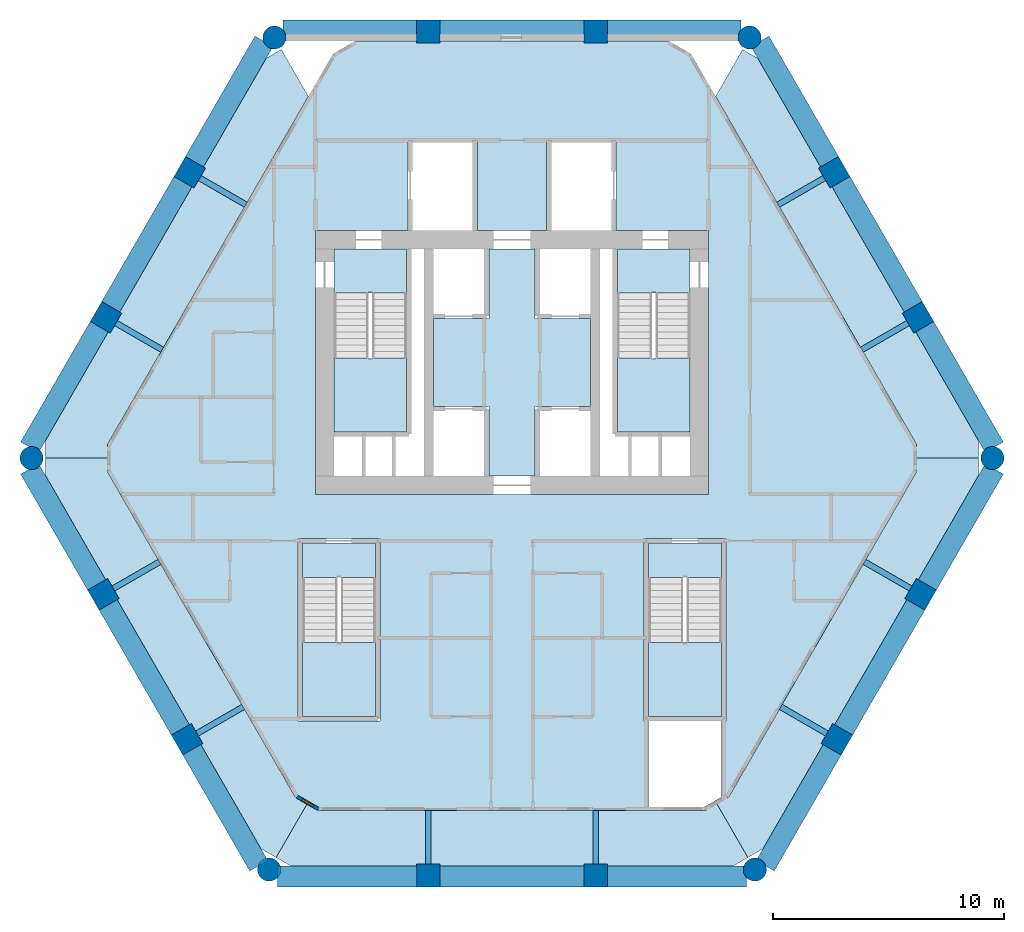
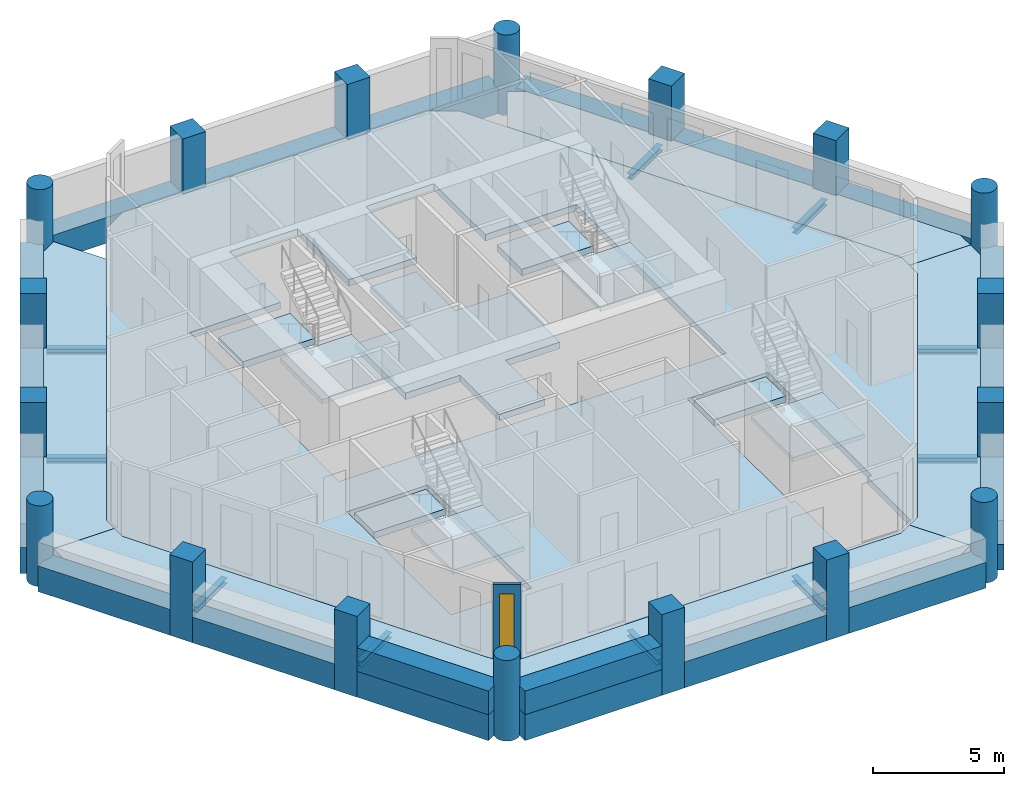
# One storey, part 1 of 7: 28 beams, 18 columns, 15 slabs, 3 walls, 1 window, 1 opening, 4 elements without a shape of their own.
"""IFC4 building model written with IfcOpenShell, lengths in metres."""

from ifc_helpers import new_model, si_unit, direction, frame, frame_2d, origin, origin_2d, place, context, subcontext, project, spatial, polyline, rectangle, circle, i_section, outline, extrude, material, layer, layer_set, material_profile, profile_set, type_object, element, fill, aggregate, save


model = new_model("IFC4")

# Units and contexts
model_context = context("Model", 3, precision=1e-05, world=origin(), true_north=direction((0.0, 1.0)))
body_context = subcontext(model_context, "Body", "Model", "MODEL_VIEW")
ifc_project = project(units=[si_unit("LENGTHUNIT", "METRE"), si_unit("AREAUNIT", "SQUARE_METRE"), si_unit("VOLUMEUNIT", "CUBIC_METRE"), si_unit("PLANEANGLEUNIT", "RADIAN"), si_unit("MASSUNIT", "GRAM", prefix="KILO")], contexts=[model_context])

# Site, building, storey
site_placement = place(None, origin())
site = spatial("IfcSite", under=ifc_project, at=site_placement, CompositionType="ELEMENT")
building_placement = place(site_placement, origin())
building = spatial("IfcBuilding", under=site, at=building_placement, Name="Ostrander Bayou Hotel Tower", CompositionType="ELEMENT")
storey_placement = place(building_placement, frame((0.0, 0.0, 160.75)))
storey = spatial("IfcBuildingStorey", under=building, at=storey_placement, Name="L39", CompositionType="ELEMENT", Elevation=160.75)

# Columns
ifc_material_1 = material(Name="Concrete f'c 60 MPa", Category="concrete")
ifc_material_profile_1 = material_profile(ifc_material_1, circle(Radius=0.5, at=origin_2d()))
ifc_profile_set_1 = profile_set([ifc_material_profile_1], Name="Concrete f'c 60 MPa")
column_type_1 = type_object("IfcColumnType", Name="C5 round column 1000 mm f'c 60 MPa", PredefinedType="COLUMN", material=ifc_profile_set_1)
for number, where, z_axis, x_axis, name in (
    (1, (-10.267333984375, 18.04541015625, -1.199951171875), (0.0, 0.0, 1.0), (1.0, 0.0, 0.0), "C5 L39 K0"),
    (2, (-20.761474609375, -0.130859375, -1.199951171875), (0.0, 0.0, 1.0), (1.0, 0.0, 0.0), "C5 L39 K1"),
    (3, (-10.494140625, -17.91455078125, -1.199951171875), (0.0, 0.0, 1.0), (1.0, 0.0, 0.0), "C5 L39 K2"),
    (4, (10.494140625, -17.91455078125, -1.199951171875), (0.0, 0.0, 1.0), (1.0, 0.0, 0.0), "C5 L39 K3"),
    (5, (20.761474609375, -0.130859375, -1.199951171875), (0.0, 0.0, 1.0), (1.0, 0.0, 0.0), "C5 L39 K4"),
    (6, (10.267333984375, 18.04541015625, -1.199951171875), (0.0, 0.0, 1.0), (1.0, 0.0, 0.0), "C5 L39 K5"),
):
    element("IfcColumn", number, at=place(storey_placement, frame(where, z_axis=z_axis, x_axis=x_axis)), inside=storey, type_object=column_type_1, Name=name, PredefinedType="COLUMN", context=body_context, shape_type="SweptSolid", body=[
        extrude(circle(Radius=0.5, at=origin_2d()), origin(), (0.0, 0.0, 1.0), 3.75),
    ])
ifc_material_2 = material(Name="Concrete f'c 60 MPa", Category="concrete")
ifc_material_profile_2 = material_profile(ifc_material_2, rectangle(XDim=1.0, YDim=1.0, at=origin_2d()))
ifc_profile_set_2 = profile_set([ifc_material_profile_2], Name="Concrete f'c 60 MPa")
column_type_2 = type_object("IfcColumnType", Name="C6 square column 1000 x 1000 mm f'c 60 MPa", PredefinedType="COLUMN", material=ifc_profile_set_2)
for number, where, z_axis, x_axis, name in (
    (7, (3.6181640625, 18.300048828125, -1.199951171875), (0.0, 0.0, 1.0), (1.0, 0.0, 0.0), "C6 L39 N1"),
    (8, (-3.6181640625, 18.300048828125, -1.199951171875), (0.0, 0.0, 1.0), (1.0, 0.0, 0.0), "C6 L39 N2"),
    (9, (-13.92578125, 12.218017578125, -1.199951171875), (0.0, 0.0, 1.0), (0.5, 0.866025403784, 0.0), "C6 L39 NW1"),
    (10, (-17.5439453125, 5.951171875, -1.199951171875), (0.0, 0.0, 1.0), (0.5, 0.866025403784, 0.0), "C6 L39 NW2"),
    (11, (-17.6572265625, -6.0166015625, -1.199951171875), (0.0, 0.0, 1.0), (-0.5, 0.866025403784, 0.0), "C6 L39 SW1"),
    (12, (-14.039306640625, -12.283203125, -1.199951171875), (0.0, 0.0, 1.0), (-0.5, 0.866025403784, 0.0), "C6 L39 SW2"),
    (13, (-3.6181640625, -18.169189453125, -1.199951171875), (0.0, 0.0, 1.0), (-1.0, 0.0, 0.0), "C6 L39 S1"),
    (14, (3.6181640625, -18.169189453125, -1.199951171875), (0.0, 0.0, 1.0), (-1.0, 0.0, 0.0), "C6 L39 S2"),
    (15, (14.039306640625, -12.283203125, -1.199951171875), (0.0, 0.0, 1.0), (-0.5, -0.866025403784, 0.0), "C6 L39 SE1"),
    (16, (17.6572265625, -6.0166015625, -1.199951171875), (0.0, 0.0, 1.0), (-0.5, -0.866025403784, 0.0), "C6 L39 SE2"),
    (17, (17.5439453125, 5.951171875, -1.199951171875), (0.0, 0.0, 1.0), (0.5, -0.866025403784, 0.0), "C6 L39 NE1"),
    (18, (13.92578125, 12.218017578125, -1.199951171875), (0.0, 0.0, 1.0), (0.5, -0.866025403784, 0.0), "C6 L39 NE2"),
):
    element("IfcColumn", number, at=place(storey_placement, frame(where, z_axis=z_axis, x_axis=x_axis)), inside=storey, type_object=column_type_2, Name=name, PredefinedType="COLUMN", context=body_context, shape_type="SweptSolid", body=[
        extrude(rectangle(XDim=1.0, YDim=1.0, at=origin_2d()), origin(), (0.0, 0.0, 1.0), 3.75),
    ])

# Beams
ifc_material_3 = material(Name="Steel ASTM A992", Category="steel")
ifc_material_profile_3 = material_profile(ifc_material_3, i_section(OverallWidth=0.25390625, OverallDepth=0.25341796875, WebThickness=0.008544921875, FlangeThickness=0.01416015625, at=origin_2d()))
ifc_profile_set_3 = profile_set([ifc_material_profile_3], Name="Steel ASTM A992")
beam_type_1 = type_object("IfcBeamType", Name="LB2 loggia bracket W10x49", PredefinedType="BEAM", material=ifc_profile_set_3)
for number, where, z_axis, x_axis, name in (
    (19, (-13.492919921875, 11.968017578125, -0.4267578125), (0.866007057882, -0.500031774688, 0.0), (0.500031774688, 0.866007057882, 0.0), "LB2 L39 NW1"),
    (20, (-17.11083984375, 5.701171875, -0.4267578125), (0.866053019151, -0.499952165731, 0.0), (0.499952165731, 0.866053019151, 0.0), "LB2 L39 NW2"),
    (21, (-17.224365234375, -5.7666015625, -0.4267578125), (0.866053019151, 0.499952165731, 0.0), (-0.499952165731, 0.866053019151, 0.0), "LB2 L39 SW1"),
):
    element("IfcBeam", number, at=place(storey_placement, frame(where, z_axis=z_axis, x_axis=x_axis)), inside=storey, type_object=beam_type_1, Name=name, PredefinedType="BEAM", context=body_context, shape_type="SweptSolid", body=[
        extrude(i_section(OverallWidth=0.25390625, OverallDepth=0.25341796875, WebThickness=0.008544921875, FlangeThickness=0.01416015625, at=origin_2d()), origin(), (0.0, 0.0, 1.0), 2.300048828125),
    ])
beam_1_placement = place(storey_placement, frame((-13.606201171875, -12.033203125, -0.4267578125), z_axis=(0.86602648383, 0.499998129301, 0.0), x_axis=(-0.499998129301, 0.86602648383, 0.0)))
element("IfcBeam", 22, at=beam_1_placement, inside=storey, type_object=beam_type_1, Name="LB2 L39 SW2", PredefinedType="BEAM", context=body_context, shape_type="SweptSolid", body=[
    extrude(i_section(OverallWidth=0.25390625, OverallDepth=0.25341796875, WebThickness=0.008544921875, FlangeThickness=0.01416015625, at=origin_2d()), origin(), (0.0, 0.0, 1.0), 2.2998046875),
])
for number, where, z_axis, x_axis, name in (
    (23, (-3.6181640625, -17.669189453125, -0.4267578125), (0.0, 1.0, 0.0), (-1.0, 0.0, 0.0), "LB2 L39 S1"),
    (24, (3.6181640625, -17.669189453125, -0.4267578125), (0.0, 1.0, 0.0), (-1.0, 0.0, 0.0), "LB2 L39 S2"),
):
    element("IfcBeam", number, at=place(storey_placement, frame(where, z_axis=z_axis, x_axis=x_axis)), inside=storey, type_object=beam_type_1, Name=name, PredefinedType="BEAM", context=body_context, shape_type="SweptSolid", body=[
        extrude(i_section(OverallWidth=0.25390625, OverallDepth=0.25341796875, WebThickness=0.008544921875, FlangeThickness=0.01416015625, at=origin_2d()), origin(), (0.0, 0.0, 1.0), 2.300048828125),
    ])
beam_2_placement = place(storey_placement, frame((13.606201171875, -12.033203125, -0.4267578125), z_axis=(-0.86602648383, 0.499998129301, 0.0), x_axis=(-0.499998129301, -0.86602648383, 0.0)))
element("IfcBeam", 25, at=beam_2_placement, inside=storey, type_object=beam_type_1, Name="LB2 L39 SE1", PredefinedType="BEAM", context=body_context, shape_type="SweptSolid", body=[
    extrude(i_section(OverallWidth=0.25390625, OverallDepth=0.25341796875, WebThickness=0.008544921875, FlangeThickness=0.01416015625, at=origin_2d()), origin(), (0.0, 0.0, 1.0), 2.2998046875),
])
for number, where, z_axis, x_axis, name in (
    (26, (17.224365234375, -5.7666015625, -0.4267578125), (-0.866053019151, 0.499952165731, 0.0), (-0.499952165731, -0.866053019151, 0.0), "LB2 L39 SE2"),
    (27, (17.11083984375, 5.701171875, -0.4267578125), (-0.866053019151, -0.499952165731, 0.0), (0.499952165731, -0.866053019151, 0.0), "LB2 L39 NE1"),
    (28, (13.492919921875, 11.968017578125, -0.4267578125), (-0.866007057882, -0.500031774688, 0.0), (0.500031774688, -0.866007057882, 0.0), "LB2 L39 NE2"),
):
    element("IfcBeam", number, at=place(storey_placement, frame(where, z_axis=z_axis, x_axis=x_axis)), inside=storey, type_object=beam_type_1, Name=name, PredefinedType="BEAM", context=body_context, shape_type="SweptSolid", body=[
        extrude(i_section(OverallWidth=0.25390625, OverallDepth=0.25341796875, WebThickness=0.008544921875, FlangeThickness=0.01416015625, at=origin_2d()), origin(), (0.0, 0.0, 1.0), 2.300048828125),
    ])
ifc_material_4 = material(Name="Concrete f'c 60 MPa", Category="concrete")
ifc_material_profile_4 = material_profile(ifc_material_4, rectangle(XDim=0.89990234375, YDim=1.199951171875, at=origin_2d()))
ifc_profile_set_4 = profile_set([ifc_material_profile_4], Name="Concrete f'c 60 MPa")
beam_type_2 = type_object("IfcBeamType", Name="SP3 spandrel beam 900 x 1200 mm f'c 60 MPa", PredefinedType="SPANDREL", material=ifc_profile_set_4)
beam_3_placement = place(storey_placement, frame((9.90087890625, 18.35009765625, -0.60009765625), z_axis=(-1.0, 0.0, 0.0), x_axis=(0.0, -1.0, 0.0)))
element("IfcBeam", 29, at=beam_3_placement, inside=storey, type_object=beam_type_2, Name="SP3 L39 N-1", PredefinedType="SPANDREL", context=body_context, shape_type="SweptSolid", body=[
    extrude(rectangle(XDim=0.89990234375, YDim=1.199951171875, at=origin_2d()), origin(), (0.0, 0.0, 1.0), 5.812744140625),
])
beam_4_placement = place(storey_placement, frame((3.148193359375, 18.35009765625, -0.60009765625), z_axis=(-1.0, 0.0, 0.0), x_axis=(0.0, -1.0, 0.0)))
element("IfcBeam", 30, at=beam_4_placement, inside=storey, type_object=beam_type_2, Name="SP3 L39 N-2", PredefinedType="SPANDREL", context=body_context, shape_type="SweptSolid", body=[
    extrude(rectangle(XDim=0.89990234375, YDim=1.199951171875, at=origin_2d()), origin(), (0.0, 0.0, 1.0), 6.29638671875),
])
beam_5_placement = place(storey_placement, frame((-4.088134765625, 18.35009765625, -0.60009765625), z_axis=(-1.0, 0.0, 0.0), x_axis=(0.0, -1.0, 0.0)))
element("IfcBeam", 31, at=beam_5_placement, inside=storey, type_object=beam_type_2, Name="SP3 L39 N-3", PredefinedType="SPANDREL", context=body_context, shape_type="SweptSolid", body=[
    extrude(rectangle(XDim=0.89990234375, YDim=1.199951171875, at=origin_2d()), origin(), (0.0, 0.0, 1.0), 5.812744140625),
])
beam_6_placement = place(storey_placement, frame((-10.71435546875, 17.88037109375, -0.60009765625), z_axis=(-0.499995386674, -0.866028067273, 0.0), x_axis=(0.866028067273, -0.499995386674, 0.0)))
element("IfcBeam", 32, at=beam_6_placement, inside=storey, type_object=beam_type_2, Name="SP3 L39 NW-1", PredefinedType="SPANDREL", context=body_context, shape_type="SweptSolid", body=[
    extrude(rectangle(XDim=0.89990234375, YDim=1.199951171875, at=origin_2d()), origin(), (0.0, 0.0, 1.0), 6.03955078125),
])
beam_7_placement = place(storey_placement, frame((-14.2041015625, 11.835693359375, -0.60009765625), z_axis=(-0.500030142214, -0.86600800047, 0.0), x_axis=(0.86600800047, -0.500030142214, 0.0)))
element("IfcBeam", 33, at=beam_7_placement, inside=storey, type_object=beam_type_2, Name="SP3 L39 NW-2", PredefinedType="SPANDREL", context=body_context, shape_type="SweptSolid", body=[
    extrude(rectangle(XDim=0.89990234375, YDim=1.199951171875, at=origin_2d()), origin(), (0.0, 0.0, 1.0), 6.2958984375),
])
beam_8_placement = place(storey_placement, frame((-17.822265625, 5.569091796875, -0.60009765625), z_axis=(-0.500012890865, -0.866017961112, 0.0), x_axis=(0.866017961112, -0.500012890865, 0.0)))
element("IfcBeam", 34, at=beam_8_placement, inside=storey, type_object=beam_type_2, Name="SP3 L39 NW-3", PredefinedType="SPANDREL", context=body_context, shape_type="SweptSolid", body=[
    extrude(rectangle(XDim=0.89990234375, YDim=1.199951171875, at=origin_2d()), origin(), (0.0, 0.0, 1.0), 6.039306640625),
])
beam_9_placement = place(storey_placement, frame((-20.842041015625, -0.6005859375, -0.60009765625), z_axis=(0.500019366424, -0.866014222285, 0.0), x_axis=(0.866014222285, 0.500019366424, 0.0)))
element("IfcBeam", 35, at=beam_9_placement, inside=storey, type_object=beam_type_2, Name="SP3 L39 SW-1", PredefinedType="SPANDREL", context=body_context, shape_type="SweptSolid", body=[
    extrude(rectangle(XDim=0.89990234375, YDim=1.199951171875, at=origin_2d()), origin(), (0.0, 0.0, 1.0), 5.812744140625),
])
beam_10_placement = place(storey_placement, frame((-17.465576171875, -6.44873046875, -0.60009765625), z_axis=(0.500013351051, -0.866017695414, 0.0), x_axis=(0.866017695414, 0.500013351051, 0.0)))
element("IfcBeam", 36, at=beam_10_placement, inside=storey, type_object=beam_type_2, Name="SP3 L39 SW-2", PredefinedType="SPANDREL", context=body_context, shape_type="SweptSolid", body=[
    extrude(rectangle(XDim=0.89990234375, YDim=1.199951171875, at=origin_2d()), origin(), (0.0, 0.0, 1.0), 6.296142578125),
])
beam_11_placement = place(storey_placement, frame((-13.847412109375, -12.71533203125, -0.60009765625), z_axis=(0.499969679245, -0.866042908773, 0.0), x_axis=(0.866042908773, 0.499969679245, 0.0)))
element("IfcBeam", 37, at=beam_11_placement, inside=storey, type_object=beam_type_2, Name="SP3 L39 SW-3", PredefinedType="SPANDREL", context=body_context, shape_type="SweptSolid", body=[
    extrude(rectangle(XDim=0.89990234375, YDim=1.199951171875, at=origin_2d()), origin(), (0.0, 0.0, 1.0), 5.812744140625),
])
beam_12_placement = place(storey_placement, frame((-10.127685546875, -18.218994140625, -0.60009765625), z_axis=(1.0, 0.0, 0.0), x_axis=(0.0, 1.0, 0.0)))
element("IfcBeam", 38, at=beam_12_placement, inside=storey, type_object=beam_type_2, Name="SP3 L39 S-1", PredefinedType="SPANDREL", context=body_context, shape_type="SweptSolid", body=[
    extrude(rectangle(XDim=0.89990234375, YDim=1.199951171875, at=origin_2d()), origin(), (0.0, 0.0, 1.0), 6.03955078125),
])
beam_13_placement = place(storey_placement, frame((-3.148193359375, -18.218994140625, -0.60009765625), z_axis=(1.0, 0.0, 0.0), x_axis=(0.0, 1.0, 0.0)))
element("IfcBeam", 39, at=beam_13_placement, inside=storey, type_object=beam_type_2, Name="SP3 L39 S-2", PredefinedType="SPANDREL", context=body_context, shape_type="SweptSolid", body=[
    extrude(rectangle(XDim=0.89990234375, YDim=1.199951171875, at=origin_2d()), origin(), (0.0, 0.0, 1.0), 6.29638671875),
])
beam_14_placement = place(storey_placement, frame((4.088134765625, -18.218994140625, -0.60009765625), z_axis=(1.0, 0.0, 0.0), x_axis=(0.0, 1.0, 0.0)))
element("IfcBeam", 40, at=beam_14_placement, inside=storey, type_object=beam_type_2, Name="SP3 L39 S-3", PredefinedType="SPANDREL", context=body_context, shape_type="SweptSolid", body=[
    extrude(rectangle(XDim=0.89990234375, YDim=1.199951171875, at=origin_2d()), origin(), (0.0, 0.0, 1.0), 6.03955078125),
])
beam_15_placement = place(storey_placement, frame((10.941162109375, -17.74951171875, -0.60009765625), z_axis=(0.499969679245, 0.866042908773, 0.0), x_axis=(-0.866042908773, 0.499969679245, 0.0)))
element("IfcBeam", 41, at=beam_15_placement, inside=storey, type_object=beam_type_2, Name="SP3 L39 SE-1", PredefinedType="SPANDREL", context=body_context, shape_type="SweptSolid", body=[
    extrude(rectangle(XDim=0.89990234375, YDim=1.199951171875, at=origin_2d()), origin(), (0.0, 0.0, 1.0), 5.812744140625),
])
beam_16_placement = place(storey_placement, frame((14.3173828125, -11.9013671875, -0.60009765625), z_axis=(0.500013351051, 0.866017695414, 0.0), x_axis=(-0.866017695414, 0.500013351051, 0.0)))
element("IfcBeam", 42, at=beam_16_placement, inside=storey, type_object=beam_type_2, Name="SP3 L39 SE-2", PredefinedType="SPANDREL", context=body_context, shape_type="SweptSolid", body=[
    extrude(rectangle(XDim=0.89990234375, YDim=1.199951171875, at=origin_2d()), origin(), (0.0, 0.0, 1.0), 6.296142578125),
])
beam_17_placement = place(storey_placement, frame((17.935546875, -5.634521484375, -0.60009765625), z_axis=(0.500019366424, 0.866014222285, 0.0), x_axis=(-0.866014222285, 0.500019366424, 0.0)))
element("IfcBeam", 43, at=beam_17_placement, inside=storey, type_object=beam_type_2, Name="SP3 L39 SE-3", PredefinedType="SPANDREL", context=body_context, shape_type="SweptSolid", body=[
    extrude(rectangle(XDim=0.89990234375, YDim=1.199951171875, at=origin_2d()), origin(), (0.0, 0.0, 1.0), 5.812744140625),
])
beam_18_placement = place(storey_placement, frame((20.842041015625, 0.3388671875, -0.60009765625), z_axis=(-0.500012890865, 0.866017961112, 0.0), x_axis=(-0.866017961112, -0.500012890865, 0.0)))
element("IfcBeam", 44, at=beam_18_placement, inside=storey, type_object=beam_type_2, Name="SP3 L39 NE-1", PredefinedType="SPANDREL", context=body_context, shape_type="SweptSolid", body=[
    extrude(rectangle(XDim=0.89990234375, YDim=1.199951171875, at=origin_2d()), origin(), (0.0, 0.0, 1.0), 6.039306640625),
])
beam_19_placement = place(storey_placement, frame((17.352294921875, 6.38330078125, -0.60009765625), z_axis=(-0.500030142214, 0.86600800047, 0.0), x_axis=(-0.86600800047, -0.500030142214, 0.0)))
element("IfcBeam", 45, at=beam_19_placement, inside=storey, type_object=beam_type_2, Name="SP3 L39 NE-2", PredefinedType="SPANDREL", context=body_context, shape_type="SweptSolid", body=[
    extrude(rectangle(XDim=0.89990234375, YDim=1.199951171875, at=origin_2d()), origin(), (0.0, 0.0, 1.0), 6.2958984375),
])
beam_20_placement = place(storey_placement, frame((13.734130859375, 12.64990234375, -0.60009765625), z_axis=(-0.499995386674, 0.866028067273, 0.0), x_axis=(-0.866028067273, -0.499995386674, 0.0)))
element("IfcBeam", 46, at=beam_20_placement, inside=storey, type_object=beam_type_2, Name="SP3 L39 NE-3", PredefinedType="SPANDREL", context=body_context, shape_type="SweptSolid", body=[
    extrude(rectangle(XDim=0.89990234375, YDim=1.199951171875, at=origin_2d()), origin(), (0.0, 0.0, 1.0), 6.03955078125),
])

# Slabs
ifc_material_5 = material(Name="Concrete f'c 40 MPa", Category="concrete")
ifc_layer_1 = layer(ifc_material_5, 0.300048828125)
ifc_layer_set_1 = layer_set([ifc_layer_1], Name="SL1 floor slab 300 mm f'c 40 MPa")
slab_type_1 = type_object("IfcSlabType", Name="SL1 floor slab 300 mm f'c 40 MPa", PredefinedType="FLOOR", material=ifc_layer_set_1)
slab_1_placement = place(storey_placement, frame((0.0, 0.0, -0.300048828125)))
element("IfcSlab", 47, at=slab_1_placement, inside=storey, type_object=slab_type_1, Name="SL1 L39 1", PredefinedType="FLOOR", context=body_context, shape_type="SweptSolid", body=[
    extrude(outline(polyline([(7.758544921875, 17.300048828125), (17.475830078125, 0.468994140625), (17.475830078125, -0.73095703125), (9.370849609375, -14.76904296875), (8.331787109375, -15.369140625), (-8.331787109375, -15.369140625), (-9.370849609375, -14.76904296875), (-17.475830078125, -0.73095703125), (-17.475830078125, 0.468994140625), (-7.758544921875, 17.300048828125), (-6.71923828125, 17.89990234375), (6.71923828125, 17.89990234375), (7.758544921875, 17.300048828125)]), holes=[polyline([(9.050048828125, -11.5), (9.25, -11.5), (9.25, -3.60009765625), (5.699951171875, -3.60009765625), (5.699951171875, -11.5), (5.89990234375, -11.5), (5.89990234375, -15.218994140625), (8.29150390625, -15.218994140625), (9.050048828125, -14.78125), (9.050048828125, -11.5)]), polyline([(-8.5, -1.699951171875), (8.5, -1.699951171875), (8.5, 9.699951171875), (4.5, 9.699951171875), (4.5, 13.60009765625), (1.5, 13.60009765625), (1.5, 9.699951171875), (-1.5, 9.699951171875), (-1.5, 13.60009765625), (-4.5, 13.60009765625), (-4.5, 9.699951171875), (-8.5, 9.699951171875), (-8.5, -1.699951171875)]), polyline([(-5.699951171875, -3.60009765625), (-9.25, -3.60009765625), (-9.25, -11.5), (-5.699951171875, -11.5), (-5.699951171875, -3.60009765625)])]), origin(), (0.0, 0.0, 1.0), 0.300048828125),
])
slab_2_placement = place(storey_placement, frame((0.0, 0.0, -0.300048828125)))
element("IfcSlab", 48, at=slab_2_placement, inside=storey, type_object=slab_type_1, Name="cslab:L39:001", PredefinedType="FLOOR", context=body_context, shape_type="SweptSolid", body=[
    extrude(outline(polyline([(-3.39990234375, 5.89990234375), (-1.0, 5.89990234375), (-1.0, 8.89990234375), (1.0, 8.89990234375), (1.0, 5.89990234375), (3.39990234375, 5.89990234375), (3.39990234375, 2.10009765625), (1.0, 2.10009765625), (1.0, -0.89990234375), (-1.0, -0.89990234375), (-1.0, 2.10009765625), (-3.39990234375, 2.10009765625), (-3.39990234375, 5.89990234375)])), origin(), (0.0, 0.0, 1.0), 0.300048828125),
])
slab_3_placement = place(storey_placement, frame((0.0, 0.0, -0.300048828125)))
element("IfcSlab", 49, at=slab_3_placement, inside=storey, type_object=slab_type_1, Name="cslab:L39:002", PredefinedType="FLOOR", context=body_context, shape_type="SweptSolid", body=[
    extrude(outline(polyline([(-4.550048828125, 7.0), (-4.550048828125, 8.89990234375), (-7.699951171875, 8.89990234375), (-7.699951171875, 7.0), (-4.550048828125, 7.0)])), origin(), (0.0, 0.0, 1.0), 0.300048828125),
])
slab_4_placement = place(storey_placement, frame((0.0, 0.0, -0.300048828125)))
element("IfcSlab", 50, at=slab_4_placement, inside=storey, type_object=slab_type_1, Name="cslab:L39:003", PredefinedType="FLOOR", context=body_context, shape_type="SweptSolid", body=[
    extrude(outline(polyline([(7.699951171875, 7.0), (7.699951171875, 8.89990234375), (4.550048828125, 8.89990234375), (4.550048828125, 7.0), (7.699951171875, 7.0)])), origin(), (0.0, 0.0, 1.0), 0.300048828125),
])
slab_5_placement = place(storey_placement, frame((0.0, 0.0, -0.300048828125)))
element("IfcSlab", 51, at=slab_5_placement, inside=storey, type_object=slab_type_1, Name="cslab:L39:004", PredefinedType="FLOOR", context=body_context, shape_type="SweptSolid", body=[
    extrude(outline(polyline([(9.050048828125, -5.300048828125), (9.050048828125, -3.800048828125), (5.89990234375, -3.800048828125), (5.89990234375, -5.300048828125), (9.050048828125, -5.300048828125)])), origin(), (0.0, 0.0, 1.0), 0.300048828125),
])
slab_6_placement = place(storey_placement, frame((0.0, 0.0, -0.300048828125)))
element("IfcSlab", 52, at=slab_6_placement, inside=storey, type_object=slab_type_1, Name="cslab:L39:005", PredefinedType="FLOOR", context=body_context, shape_type="SweptSolid", body=[
    extrude(outline(polyline([(-5.89990234375, -5.300048828125), (-5.89990234375, -3.800048828125), (-9.050048828125, -3.800048828125), (-9.050048828125, -5.300048828125), (-5.89990234375, -5.300048828125)])), origin(), (0.0, 0.0, 1.0), 0.300048828125),
])
ifc_material_6 = material(Name="Concrete f'c 40 MPa", Category="concrete")
ifc_layer_2 = layer(ifc_material_6, 0.300048828125)
ifc_layer_set_2 = layer_set([ifc_layer_2], Name="SL4 loggia slab 300 mm f'c 40 MPa")
slab_type_2 = type_object("IfcSlabType", Name="SL4 loggia slab 300 mm f'c 40 MPa", PredefinedType="FLOOR", material=ifc_layer_set_2)
slab_7_placement = place(storey_placement, frame((0.0, 0.0, -0.300048828125)))
element("IfcSlab", 53, at=slab_7_placement, inside=storey, type_object=slab_type_2, Name="SL4 LOGGIA L39 NW 1", PredefinedType="FLOOR", context=body_context, shape_type="SweptSolid", body=[
    extrude(outline(polyline([(-20.160400390625, -0.130859375), (-20.160400390625, 0.619140625), (-17.4326171875, 5.34423828125), (-16.96240234375, 6.158203125), (-14.18408203125, 10.970703125), (-13.344482421875, 12.4248046875), (-10.616455078125, 17.14990234375), (-9.966796875, 17.52490234375), (-8.7978515625, 15.5), (-17.475830078125, 0.468994140625), (-17.475830078125, -0.130859375), (-20.160400390625, -0.130859375)])), origin(), (0.0, 0.0, 1.0), 0.300048828125),
])
slab_8_placement = place(storey_placement, frame((0.0, 0.0, -0.300048828125)))
element("IfcSlab", 54, at=slab_8_placement, inside=storey, type_object=slab_type_2, Name="SL4 LOGGIA L39 SW 1", PredefinedType="FLOOR", context=body_context, shape_type="SweptSolid", body=[
    extrude(outline(polyline([(-8.851318359375, -15.069091796875), (-10.193603515625, -17.39404296875), (-10.84326171875, -17.01904296875), (-15.094482421875, -9.655517578125), (-17.075927734375, -6.2236328125), (-17.5458984375, -5.40966796875), (-20.160400390625, -0.880859375), (-20.160400390625, -0.130859375), (-17.475830078125, -0.130859375), (-17.475830078125, -0.73095703125), (-9.370849609375, -14.76904296875), (-8.851318359375, -15.069091796875)])), origin(), (0.0, 0.0, 1.0), 0.300048828125),
])
slab_9_placement = place(storey_placement, frame((0.0, 0.0, -0.300048828125)))
element("IfcSlab", 55, at=slab_9_placement, inside=storey, type_object=slab_type_2, Name="SL4 LOGGIA L39 S 1", PredefinedType="FLOOR", context=body_context, shape_type="SweptSolid", body=[
    extrude(outline(polyline([(8.851318359375, -15.069091796875), (10.193603515625, -17.39404296875), (9.544189453125, -17.76904296875), (4.088134765625, -17.76904296875), (3.148193359375, -17.76904296875), (0.0, -17.76904296875), (-9.544189453125, -17.76904296875), (-10.193603515625, -17.39404296875), (-8.851318359375, -15.069091796875), (-8.331787109375, -15.369140625), (8.331787109375, -15.369140625), (8.851318359375, -15.069091796875)])), origin(), (0.0, 0.0, 1.0), 0.300048828125),
])
slab_10_placement = place(storey_placement, frame((0.0, 0.0, -0.300048828125)))
element("IfcSlab", 56, at=slab_10_placement, inside=storey, type_object=slab_type_2, Name="SL4 LOGGIA L39 SE 1", PredefinedType="FLOOR", context=body_context, shape_type="SweptSolid", body=[
    extrude(outline(polyline([(17.475830078125, -0.130859375), (20.160400390625, -0.130859375), (20.160400390625, -0.880859375), (18.25146484375, -4.1875), (17.075927734375, -6.2236328125), (13.927734375, -11.67626953125), (13.457763671875, -12.490478515625), (10.84326171875, -17.01904296875), (10.193603515625, -17.39404296875), (8.851318359375, -15.069091796875), (9.370849609375, -14.76904296875), (17.475830078125, -0.73095703125), (17.475830078125, -0.130859375)])), origin(), (0.0, 0.0, 1.0), 0.300048828125),
])
slab_11_placement = place(storey_placement, frame((0.0, 0.0, -0.300048828125)))
element("IfcSlab", 57, at=slab_11_placement, inside=storey, type_object=slab_type_2, Name="SL4 LOGGIA L39 NE 1", PredefinedType="FLOOR", context=body_context, shape_type="SweptSolid", body=[
    extrude(outline(polyline([(9.966796875, 17.52490234375), (10.616455078125, 17.14990234375), (16.7119140625, 6.59228515625), (16.96240234375, 6.158203125), (17.4326171875, 5.34423828125), (20.160400390625, 0.619140625), (20.160400390625, -0.130859375), (17.475830078125, -0.130859375), (17.475830078125, 0.468994140625), (8.7978515625, 15.5), (9.966796875, 17.52490234375)])), origin(), (0.0, 0.0, 1.0), 0.300048828125),
])

# Stair, slab
ifc_material_7 = material(Name="Concrete f'c 45 MPa", Category="concrete")
stair_type = type_object("IfcStairType", Name="ST1 exit stair 1500 mm f'c 45 MPa", PredefinedType="HALF_TURN_STAIR", material=ifc_material_7)
stair_1_placement = place(storey_placement, origin())
stair_1 = element("IfcStair", 58, at=stair_1_placement, inside=storey, type_object=stair_type, Name="L39 exit stair A", PredefinedType="HALF_TURN_STAIR")
ifc_material_8 = material(Name="Concrete f'c 45 MPa", Category="concrete")
ifc_layer_3 = layer(ifc_material_8, 0.199951171875)
ifc_layer_set_3 = layer_set([ifc_layer_3], Name="SL8 stair landing 200 mm f'c 45 MPa")
slab_type_3 = type_object("IfcSlabType", Name="SL8 stair landing 200 mm f'c 45 MPa", PredefinedType="LANDING", material=ifc_layer_set_3)
slab_12_placement = place(storey_placement, frame((0.0, 0.0, 1.675048828125)))
slab_12 = element("IfcSlab", 59, at=slab_12_placement, type_object=slab_type_3, Name="STA landing 1", PredefinedType="LANDING", context=body_context, shape_type="SweptSolid", body=[
    extrude(outline(polyline([(-7.699951171875, 4.199951171875), (-7.699951171875, 1.0), (-4.550048828125, 1.0), (-4.550048828125, 4.199951171875), (-7.699951171875, 4.199951171875)])), origin(), (0.0, 0.0, 1.0), 0.199951171875),
])
aggregate(stair_1, [slab_12])

stair_2_placement = place(storey_placement, origin())
stair_2 = element("IfcStair", 60, at=stair_2_placement, inside=storey, type_object=stair_type, Name="L39 exit stair B", PredefinedType="HALF_TURN_STAIR")
slab_13_placement = place(storey_placement, frame((0.0, 0.0, 1.675048828125)))
slab_13 = element("IfcSlab", 61, at=slab_13_placement, type_object=slab_type_3, Name="STB landing 1", PredefinedType="LANDING", context=body_context, shape_type="SweptSolid", body=[
    extrude(outline(polyline([(4.550048828125, 4.199951171875), (4.550048828125, 1.0), (7.699951171875, 1.0), (7.699951171875, 4.199951171875), (4.550048828125, 4.199951171875)])), origin(), (0.0, 0.0, 1.0), 0.199951171875),
])
aggregate(stair_2, [slab_13])

stair_3_placement = place(storey_placement, origin())
stair_3 = element("IfcStair", 62, at=stair_3_placement, inside=storey, type_object=stair_type, Name="L39 exit stair C", PredefinedType="HALF_TURN_STAIR")
slab_14_placement = place(storey_placement, frame((0.0, 0.0, 1.675048828125)))
slab_14 = element("IfcSlab", 63, at=slab_14_placement, type_object=slab_type_3, Name="STC landing 1", PredefinedType="LANDING", context=body_context, shape_type="SweptSolid", body=[
    extrude(outline(polyline([(5.89990234375, -8.10009765625), (5.89990234375, -11.300048828125), (9.050048828125, -11.300048828125), (9.050048828125, -8.10009765625), (5.89990234375, -8.10009765625)])), origin(), (0.0, 0.0, 1.0), 0.199951171875),
])
aggregate(stair_3, [slab_14])

stair_4_placement = place(storey_placement, origin())
stair_4 = element("IfcStair", 64, at=stair_4_placement, inside=storey, type_object=stair_type, Name="L39 exit stair D", PredefinedType="HALF_TURN_STAIR")
slab_15_placement = place(storey_placement, frame((0.0, 0.0, 1.675048828125)))
slab_15 = element("IfcSlab", 65, at=slab_15_placement, type_object=slab_type_3, Name="STD landing 1", PredefinedType="LANDING", context=body_context, shape_type="SweptSolid", body=[
    extrude(outline(polyline([(-9.050048828125, -8.10009765625), (-9.050048828125, -11.300048828125), (-5.89990234375, -11.300048828125), (-5.89990234375, -8.10009765625), (-9.050048828125, -8.10009765625)])), origin(), (0.0, 0.0, 1.0), 0.199951171875),
])
aggregate(stair_4, [slab_15])

# Wall, opening, window
ifc_material_9 = material(Name="Aluminium framed insulated wall", Category="aluminium")
ifc_layer_4 = layer(ifc_material_9, 0.14990234375)
ifc_layer_set_4 = layer_set([ifc_layer_4], Name="GW1 glass-line wall 150 mm")
wall_type_1 = type_object("IfcWallType", Name="GW1 glass-line wall 150 mm", PredefinedType="SOLIDWALL", material=ifc_layer_set_4)
wall_1_placement = place(storey_placement, frame((-9.288818359375, -14.76171875, 0.0), z_axis=(0.0, 0.0, 1.0), x_axis=(0.866105447774, -0.499861334108, 0.0)))
wall_1 = element("IfcWall", 66, at=wall_1_placement, inside=storey, type_object=wall_type_1, Name="GW1 L39 corner 3", PredefinedType="SOLIDWALL", context=body_context, shape_type="SweptSolid", body=[
    extrude(rectangle(XDim=1.065185546875, YDim=0.14990234375, at=frame_2d((0.53271484375, 0.0))), origin(), (0.0, 0.0, 1.0), 3.449951171875),
])
opening_placement = place(wall_1_placement, frame((0.257568359375, 0.0, 0.14990234375)))
opening = element("IfcOpeningElement", 67, at=opening_placement, cuts=wall_1, Name="Opening W19", PredefinedType="OPENING", context=body_context, shape_type="SweptSolid", body=[
    extrude(rectangle(XDim=0.550048828125, YDim=2.85009765625, at=frame_2d((0.27490234375, 1.425048828125))), frame((0.0, 0.074951171875, 0.0), z_axis=(0.0, -1.0, 0.0), x_axis=(1.0, 0.0, 0.0)), (0.0, 0.0, 1.0), 0.14990234375),
])
ifc_material_10 = material(Name="Aluminium and clear glass", Category="aluminium")
window_type = type_object("IfcWindowType", Name="W19 corner window 550 mm", PartitioningType="SINGLE_PANEL", PredefinedType="WINDOW", material=ifc_material_10)
window_placement = place(opening_placement, origin())
window = element("IfcWindow", 68, at=window_placement, inside=storey, type_object=window_type, Name="W19 L39 corner 3", OverallHeight=2.85009765625, OverallWidth=0.550048828125, PartitioningType="SINGLE_PANEL", PredefinedType="WINDOW", context=body_context, shape_type="SweptSolid", body=[
    extrude(rectangle(XDim=0.550048828125, YDim=2.85009765625, at=frame_2d((0.27490234375, 1.425048828125))), frame((0.0, 0.030029296875, 0.0), z_axis=(0.0, -1.0, 0.0), x_axis=(1.0, 0.0, 0.0)), (0.0, 0.0, 1.0), 0.06005859375),
])
fill(opening, window)

# Walls
ifc_material_11 = material(Name="Concrete f'c 40 MPa", Category="concrete")
ifc_layer_5 = layer(ifc_material_11, 0.89990234375)
ifc_layer_set_5 = layer_set([ifc_layer_5], Name="PA1 stone-faced parapet 900 mm")
wall_type_2 = type_object("IfcWallType", Name="PA1 stone-faced parapet 900 mm", PredefinedType="PARAPET", material=ifc_layer_set_5)
wall_2_placement = place(storey_placement, frame((-10.127685546875, -18.218994140625, 0.0), z_axis=(0.0, 0.0, 1.0), x_axis=(1.0, 0.0, 0.0)))
element("IfcWall", 69, at=wall_2_placement, inside=storey, type_object=wall_type_2, Name="PA1 L39 S-1", PredefinedType="PARAPET", context=body_context, shape_type="SweptSolid", body=[
    extrude(rectangle(XDim=6.03955078125, YDim=0.89990234375, at=frame_2d((3.019775390625, 0.0))), origin(), (0.0, 0.0, 1.0), 1.10009765625),
])
ifc_material_12 = material(Name="Limestone masonry", Category="masonry")
ifc_layer_6 = layer(ifc_material_12, 0.89990234375)
ifc_layer_set_6 = layer_set([ifc_layer_6], Name="PA2 limestone parapet 900 mm")
wall_type_3 = type_object("IfcWallType", Name="PA2 limestone parapet 900 mm", PredefinedType="PARAPET", material=ifc_layer_set_6)
wall_3_placement = place(storey_placement, frame((-13.847412109375, -12.71533203125, 0.0), z_axis=(0.0, 0.0, 1.0), x_axis=(0.499969679245, -0.866042908773, 0.0)))
element("IfcWall", 70, at=wall_3_placement, inside=storey, type_object=wall_type_3, Name="PA2 L39 SW-3", PredefinedType="PARAPET", context=body_context, shape_type="SweptSolid", body=[
    extrude(rectangle(XDim=5.812744140625, YDim=0.89990234375, at=frame_2d((2.90625, 0.0))), origin(), (0.0, 0.0, 1.0), 1.10009765625),
])

save(model, "model.ifc")
